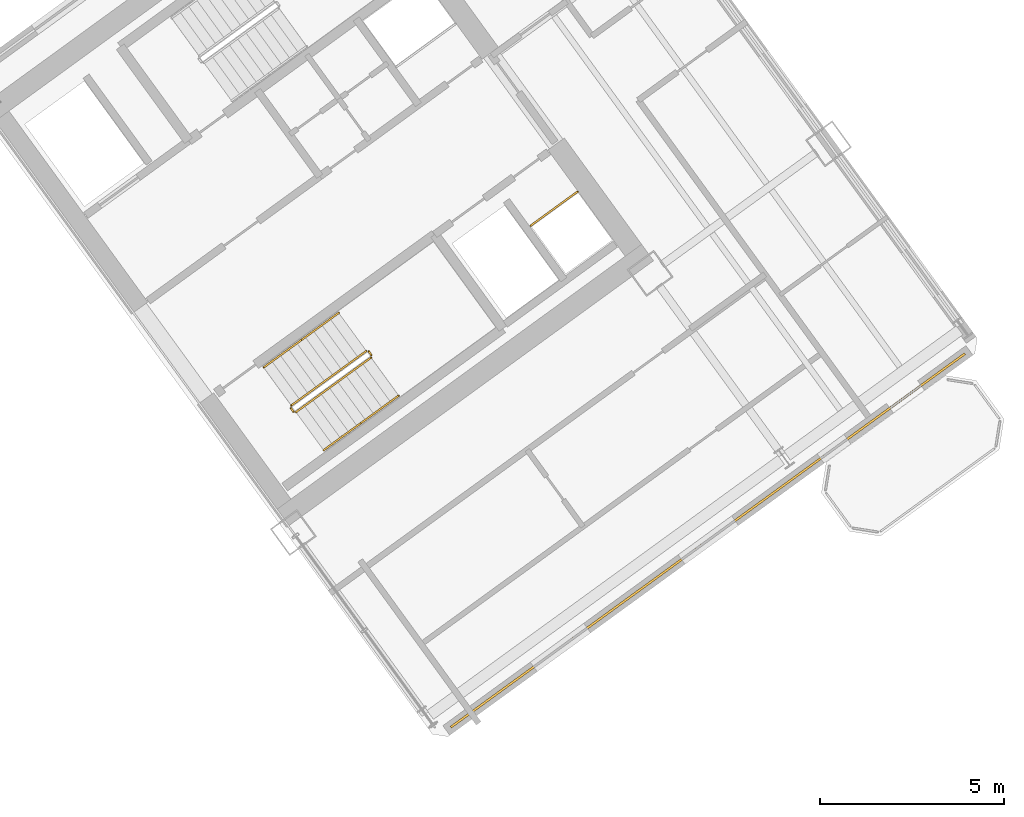
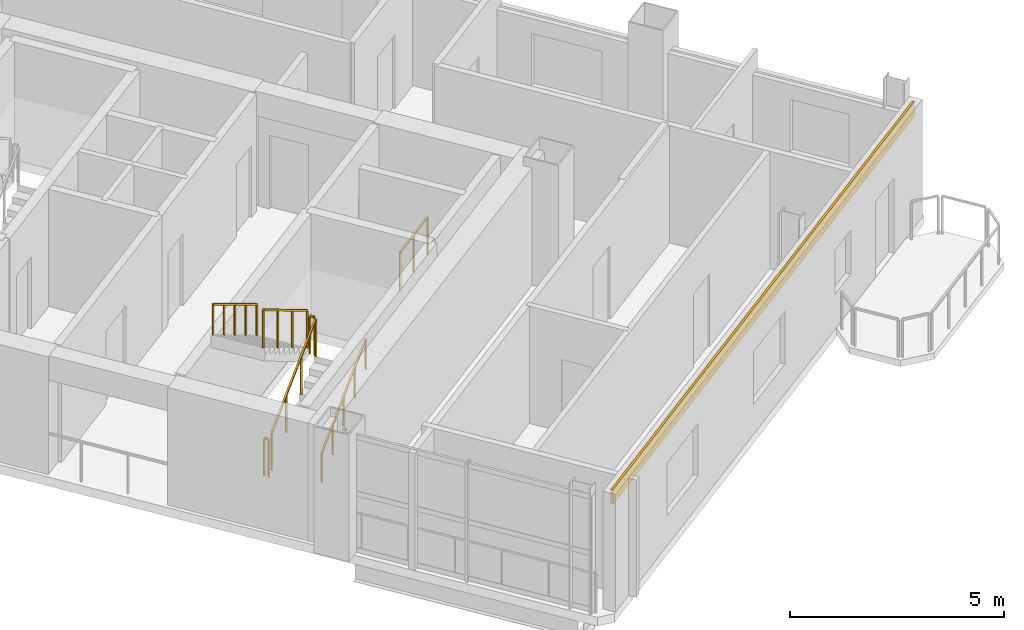
# One storey, part 17 of 19: 9 railings, 1 covering.
"""IFC4 building model written with IfcOpenShell, lengths in metres."""

from ifc_helpers import new_model, si_unit, direction, frame, origin, origin_2d, place, context, subcontext, project, spatial, rectangle, extrude, source, transform, mapped, material, layer, layer_set, type_object, element, save


model = new_model("IFC4")

# Units and contexts
model_context = context("Model", 3, precision=1e-05, world=origin(), true_north=direction((0.0, 1.0)))
body_context = subcontext(model_context, "Body", "Model", "MODEL_VIEW")
ifc_project = project(units=[si_unit("LENGTHUNIT", "METRE"), si_unit("AREAUNIT", "SQUARE_METRE"), si_unit("VOLUMEUNIT", "CUBIC_METRE"), si_unit("PLANEANGLEUNIT", "RADIAN"), si_unit("MASSUNIT", "GRAM", prefix="KILO")], contexts=[model_context])

# Site, building, storey
site_placement = place(None, origin())
site = spatial("IfcSite", under=ifc_project, at=site_placement, CompositionType="ELEMENT")
building_placement = place(site_placement, origin())
building = spatial("IfcBuilding", under=site, at=building_placement, Name="Tlacorven Tower", CompositionType="ELEMENT")
storey_placement = place(building_placement, frame((0.0, 0.0, 144.300048828125)))
storey = spatial("IfcBuildingStorey", under=building, at=storey_placement, Name="L36", CompositionType="ELEMENT", Elevation=144.300048828125)

# Railing
ifc_material_1 = material(Name="Aluminium and painted steel balustrade", Category="steel")
railing_type_1 = type_object("IfcRailingType", Name="RL-GRD-1100", PredefinedType="GUARDRAIL", material=ifc_material_1)
shared_shape_1 = source(origin(), body_context, "Body", "SweptSolid", [
    extrude(rectangle(XDim=0.048095703125, YDim=0.048095703125, at=origin_2d()), frame((0.0, 0.0, 1.076171875), z_axis=(0.809029975545, 0.58776738483, 0.0), x_axis=(-0.58776738483, 0.809029975545, 0.0)), (0.0, 0.0, 1.0), 1.580078125),
    extrude(rectangle(XDim=0.0419921875, YDim=0.0419921875, at=origin_2d()), origin(), (0.0, 0.0, 1.0), 1.052001953125),
    extrude(rectangle(XDim=0.0419921875, YDim=0.0419921875, at=origin_2d()), frame((0.63916015625, 0.46435546875, 0.0)), (0.0, 0.0, 1.0), 1.052001953125),
    extrude(rectangle(XDim=0.0419921875, YDim=0.0419921875, at=origin_2d()), frame((1.2783203125, 0.9287109375, 0.0)), (0.0, 0.0, 1.0), 1.052001953125),
])
railing_1_placement = place(storey_placement, frame((59.160888671875, 21.122314453125, 0.0)))
element("IfcRailing", 1, at=railing_1_placement, inside=storey, type_object=railing_type_1, Name="L36 Smoke Riser E Shaft Guard 1", PredefinedType="GUARDRAIL", context=body_context, shape_type="MappedRepresentation", body=[
    mapped(shared_shape_1, transform((0.0, 0.0, 0.0), scale=1.0)),
])

# Covering
ifc_material_2 = material(Name="Precast concrete C45/55", Category="concrete")
ifc_layer = layer(ifc_material_2, 0.06005859375)
ifc_layer_set = layer_set([ifc_layer], Name="Precast concrete C45/55")
covering_type = type_object("IfcCoveringType", Name="CV-CLD-TERC", PredefinedType="CLADDING", material=ifc_layer_set)
shared_shape_2 = source(origin(), body_context, "Body", "SweptSolid", [
    extrude(rectangle(XDim=17.287353515625, YDim=0.06005859375, at=origin_2d()), origin(), (0.0, 0.0, 1.0), 0.419921875),
])
covering_placement = place(storey_placement, frame((63.9833984375, 12.562255859375, 2.929931640625), z_axis=(0.0, 0.0, 1.0), x_axis=(-0.809017097486, -0.587785110372, 0.0)))
element("IfcCovering", 2, at=covering_placement, inside=storey, type_object=covering_type, Name="L36 Masonry-Frame Spandrel Cladding 6", PredefinedType="CLADDING", context=body_context, shape_type="MappedRepresentation", body=[
    mapped(shared_shape_2, transform((0.0, 0.0, 0.0), scale=1.0)),
])

# Railings
shared_shape_3 = source(origin(), body_context, "Body", "SweptSolid", [
    extrude(rectangle(XDim=0.048095703125, YDim=0.048095703125, at=origin_2d()), frame((0.0, 0.0, 1.076171875), z_axis=(-0.587567097037, 0.809175448515, 0.0), x_axis=(-0.809175448515, -0.587567097037, 0.0)), (0.0, 0.0, 1.0), 0.1201171875),
    extrude(rectangle(XDim=0.0419921875, YDim=0.0419921875, at=origin_2d()), origin(), (0.0, 0.0, 1.0), 1.052001953125),
    extrude(rectangle(XDim=0.0419921875, YDim=0.0419921875, at=origin_2d()), frame((-0.070556640625, 0.09716796875, 0.0)), (0.0, 0.0, 1.0), 1.052001953125),
])
for number, where, name in (
    (3, (54.8310546875, 17.605712890625, 1.800048828125), "L36 ST-E2 stair guard 2"),
    (4, (52.71142578125, 16.065673828125, 0.0), "L36 ST-E2 stair guard 4"),
):
    element("IfcRailing", number, at=place(storey_placement, frame(where)), inside=storey, type_object=railing_type_1, Name=name, PredefinedType="GUARDRAIL", context=body_context, shape_type="MappedRepresentation", body=[
        mapped(shared_shape_3, transform((0.0, 0.0, 0.0), scale=1.0)),
    ])
railing_type_2 = type_object("IfcRailingType", Name="RL-HND-0900", PredefinedType="HANDRAIL", material=ifc_material_1)
shared_shape_4 = source(origin(), body_context, "Body", "SweptSolid", [
    extrude(rectangle(XDim=0.048095703125, YDim=0.048095703125, at=origin_2d()), frame((0.0, 0.0, 0.8759765625), z_axis=(0.680516055757, 0.494372502302, 0.540826891737), x_axis=(-0.587745292299, 0.809046025502, 0.0)), (0.0, 0.0, 1.0), 1.497802734375),
    extrude(rectangle(XDim=0.0419921875, YDim=0.0419921875, at=origin_2d()), origin(), (0.0, 0.0, 1.0), 0.851806640625),
    extrude(rectangle(XDim=0.0419921875, YDim=0.0419921875, at=origin_2d()), frame((0.509765625, 0.3701171875, 0.405029296875)), (0.0, 0.0, 1.0), 0.851806640625),
    extrude(rectangle(XDim=0.0419921875, YDim=0.0419921875, at=origin_2d()), frame((1.019287109375, 0.740478515625, 0.81005859375)), (0.0, 0.0, 1.0), 0.851806640625),
])
railing_2_placement = place(storey_placement, frame((54.552978515625, 15.759765625, 0.989990234375)))
element("IfcRailing", 5, at=railing_2_placement, inside=storey, type_object=railing_type_2, Name="L36 ST-E2 stair handrail 2", PredefinedType="HANDRAIL", context=body_context, shape_type="MappedRepresentation", body=[
    mapped(shared_shape_4, transform((0.0, 0.0, 0.0), scale=1.0)),
])
shared_shape_5 = source(origin(), body_context, "Body", "SweptSolid", [
    extrude(rectangle(XDim=0.048095703125, YDim=0.048095703125, at=origin_2d()), frame((0.0, 0.0, 0.8759765625), z_axis=(-0.680521190579, -0.494539231669, 0.540667973449), x_axis=(0.587872112667, -0.808953879494, 0.0)), (0.0, 0.0, 1.0), 1.497802734375),
    extrude(rectangle(XDim=0.0419921875, YDim=0.0419921875, at=origin_2d()), origin(), (0.0, 0.0, 1.0), 0.851806640625),
    extrude(rectangle(XDim=0.0419921875, YDim=0.0419921875, at=origin_2d()), frame((-0.509765625, -0.370361328125, 0.40478515625)), (0.0, 0.0, 1.0), 0.851806640625),
    extrude(rectangle(XDim=0.0419921875, YDim=0.0419921875, at=origin_2d()), frame((-1.019287109375, -0.74072265625, 0.809814453125)), (0.0, 0.0, 1.0), 0.851806640625),
])
railing_3_placement = place(storey_placement, frame((52.9189453125, 18.0087890625, 2.7900390625)))
element("IfcRailing", 6, at=railing_3_placement, inside=storey, type_object=railing_type_2, Name="L36 ST-E2 stair handrail 4", PredefinedType="HANDRAIL", context=body_context, shape_type="MappedRepresentation", body=[
    mapped(shared_shape_5, transform((0.0, 0.0, 0.0), scale=1.0)),
])
shared_shape_6 = source(origin(), body_context, "Body", "SweptSolid", [
    extrude(rectangle(XDim=0.048095703125, YDim=0.048095703125, at=origin_2d()), frame((0.0, 0.0, 1.076171875), z_axis=(0.680532390839, 0.494406659708, 0.54077511024), x_axis=(-0.587762637553, 0.809033424462, 0.0)), (0.0, 0.0, 1.0), 2.995849609375),
    extrude(rectangle(XDim=0.0419921875, YDim=0.0419921875, at=origin_2d()), origin(), (0.0, 0.0, 1.0), 1.052001953125),
    extrude(rectangle(XDim=0.0419921875, YDim=0.0419921875, at=origin_2d()), frame((0.6796875, 0.49365234375, 0.5400390625)), (0.0, 0.0, 1.0), 1.052001953125),
    extrude(rectangle(XDim=0.0419921875, YDim=0.0419921875, at=origin_2d()), frame((1.359130859375, 0.987548828125, 1.080078125)), (0.0, 0.0, 1.0), 1.052001953125),
    extrude(rectangle(XDim=0.0419921875, YDim=0.0419921875, at=origin_2d()), frame((2.038818359375, 1.481201171875, 1.6201171875)), (0.0, 0.0, 1.0), 1.052001953125),
])
railing_4_placement = place(storey_placement, frame((52.78125, 16.0546875, 0.179931640625)))
element("IfcRailing", 7, at=railing_4_placement, inside=storey, type_object=railing_type_1, Name="L36 ST-E2 stair guard 1", PredefinedType="GUARDRAIL", context=body_context, shape_type="MappedRepresentation", body=[
    mapped(shared_shape_6, transform((0.0, 0.0, 0.0), scale=1.0)),
])
shared_shape_7 = source(origin(), body_context, "Body", "SweptSolid", [
    extrude(rectangle(XDim=0.048095703125, YDim=0.048095703125, at=origin_2d()), frame((0.0, 0.0, 0.8759765625), z_axis=(0.680461216233, 0.494495647917, 0.540783309093), x_axis=(-0.587872112667, 0.808953879494, 0.0)), (0.0, 0.0, 1.0), 1.498046875),
    extrude(rectangle(XDim=0.0419921875, YDim=0.0419921875, at=origin_2d()), origin(), (0.0, 0.0, 1.0), 0.851806640625),
    extrude(rectangle(XDim=0.0419921875, YDim=0.0419921875, at=origin_2d()), frame((0.509765625, 0.370361328125, 0.405029296875)), (0.0, 0.0, 1.0), 0.851806640625),
    extrude(rectangle(XDim=0.0419921875, YDim=0.0419921875, at=origin_2d()), frame((1.019287109375, 0.74072265625, 0.81005859375)), (0.0, 0.0, 1.0), 0.851806640625),
])
railing_5_placement = place(storey_placement, frame((53.53369140625, 15.01904296875, 0.179931640625)))
element("IfcRailing", 8, at=railing_5_placement, inside=storey, type_object=railing_type_2, Name="L36 ST-E2 stair handrail 1", PredefinedType="HANDRAIL", context=body_context, shape_type="MappedRepresentation", body=[
    mapped(shared_shape_7, transform((0.0, 0.0, 0.0), scale=1.0)),
])
shared_shape_8 = source(origin(), body_context, "Body", "SweptSolid", [
    extrude(rectangle(XDim=0.048095703125, YDim=0.048095703125, at=origin_2d()), frame((0.0, 0.0, 0.8759765625), z_axis=(-0.680516055757, -0.494372502302, 0.540826891737), x_axis=(0.587745292299, -0.809046025502, 0.0)), (0.0, 0.0, 1.0), 1.497802734375),
    extrude(rectangle(XDim=0.0419921875, YDim=0.0419921875, at=origin_2d()), origin(), (0.0, 0.0, 1.0), 0.851806640625),
    extrude(rectangle(XDim=0.0419921875, YDim=0.0419921875, at=origin_2d()), frame((-0.509765625, -0.3701171875, 0.405029296875)), (0.0, 0.0, 1.0), 0.851806640625),
    extrude(rectangle(XDim=0.0419921875, YDim=0.0419921875, at=origin_2d()), frame((-1.019287109375, -0.740478515625, 0.81005859375)), (0.0, 0.0, 1.0), 0.851806640625),
])
railing_6_placement = place(storey_placement, frame((53.938232421875, 18.749267578125, 1.97998046875)))
element("IfcRailing", 9, at=railing_6_placement, inside=storey, type_object=railing_type_2, Name="L36 ST-E2 stair handrail 3", PredefinedType="HANDRAIL", context=body_context, shape_type="MappedRepresentation", body=[
    mapped(shared_shape_8, transform((0.0, 0.0, 0.0), scale=1.0)),
])
shared_shape_9 = source(origin(), body_context, "Body", "SweptSolid", [
    extrude(rectangle(XDim=0.048095703125, YDim=0.048095703125, at=origin_2d()), frame((0.0, 0.0, 1.076171875), z_axis=(-0.680562380517, -0.494428447203, 0.540717446381), x_axis=(0.587762637553, -0.809033424462, 0.0)), (0.0, 0.0, 1.0), 2.995849609375),
    extrude(rectangle(XDim=0.0419921875, YDim=0.0419921875, at=origin_2d()), origin(), (0.0, 0.0, 1.0), 1.052001953125),
    extrude(rectangle(XDim=0.0419921875, YDim=0.0419921875, at=origin_2d()), frame((-0.6796875, -0.49365234375, 0.5400390625)), (0.0, 0.0, 1.0), 1.052001953125),
    extrude(rectangle(XDim=0.0419921875, YDim=0.0419921875, at=origin_2d()), frame((-1.359130859375, -0.987548828125, 1.079833984375)), (0.0, 0.0, 1.0), 1.052001953125),
    extrude(rectangle(XDim=0.0419921875, YDim=0.0419921875, at=origin_2d()), frame((-2.038818359375, -1.481201171875, 1.619873046875)), (0.0, 0.0, 1.0), 1.052001953125),
])
railing_7_placement = place(storey_placement, frame((54.690673828125, 17.7138671875, 1.97998046875)))
element("IfcRailing", 10, at=railing_7_placement, inside=storey, type_object=railing_type_1, Name="L36 ST-E2 stair guard 3", PredefinedType="GUARDRAIL", context=body_context, shape_type="MappedRepresentation", body=[
    mapped(shared_shape_9, transform((0.0, 0.0, 0.0), scale=1.0)),
])

save(model, "model.ifc")
